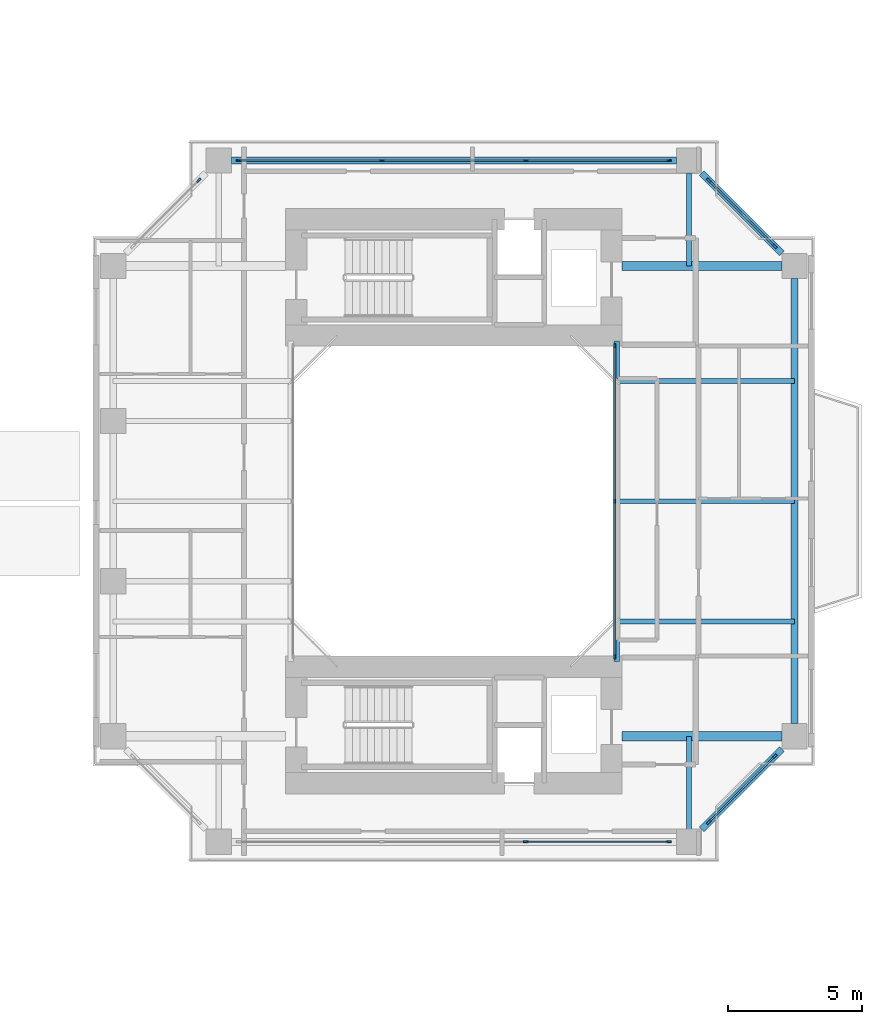
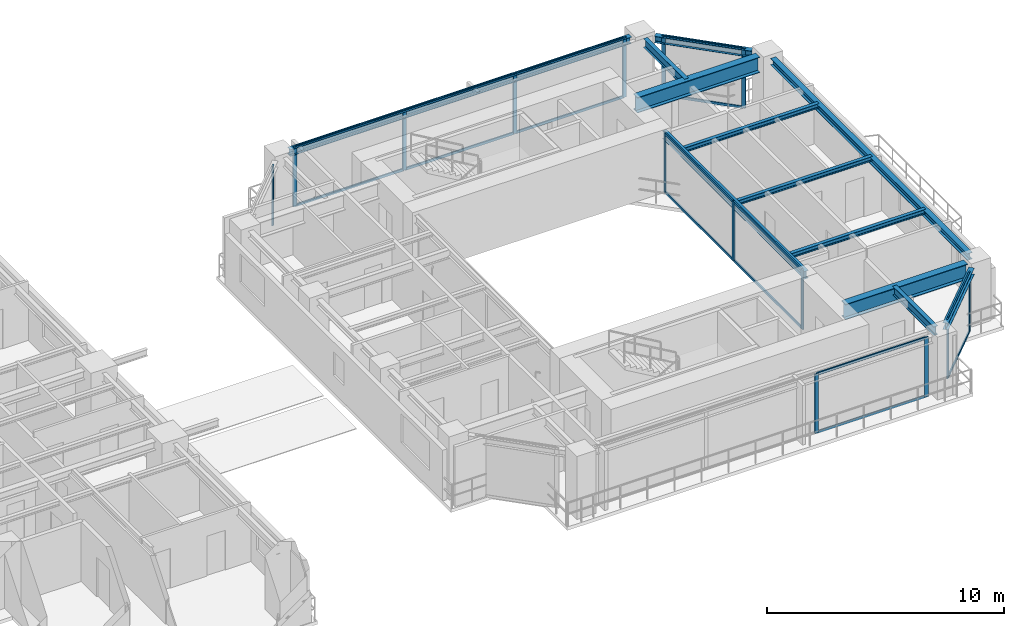
# One storey, part 9 of 23: 30 members, 12 beams, 6 elements without a shape of their own.
"""IFC4 building model written with IfcOpenShell, lengths in metres."""

from ifc_helpers import new_model, si_unit, direction, frame, origin, origin_2d, place, context, subcontext, project, spatial, rectangle, i_section, extrude, source, transform, mapped, material, layer, layer_set, material_profile, profile_set, type_object, element, aggregate, save


model = new_model("IFC4")

# Units and contexts
model_context = context("Model", 3, precision=1e-05, world=origin(), true_north=direction((0.0, 1.0)))
body_context = subcontext(model_context, "Body", "Model", "MODEL_VIEW")
ifc_project = project(units=[si_unit("LENGTHUNIT", "METRE"), si_unit("AREAUNIT", "SQUARE_METRE"), si_unit("VOLUMEUNIT", "CUBIC_METRE"), si_unit("PLANEANGLEUNIT", "RADIAN"), si_unit("MASSUNIT", "GRAM", prefix="KILO"), si_unit("THERMODYNAMICTEMPERATUREUNIT", "KELVIN"), si_unit("POWERUNIT", "WATT")], contexts=[model_context])

# Site, building, storey
site_placement = place(None, origin())
site = spatial("IfcSite", under=ifc_project, at=site_placement, CompositionType="ELEMENT")
building_placement = place(site_placement, origin())
building = spatial("IfcBuilding", under=site, at=building_placement, Name="Qiaomeng Ring Towers", CompositionType="ELEMENT")
storey_placement = place(building_placement, frame((0.0, 0.0, 50.25)))
storey = spatial("IfcBuildingStorey", under=building, at=storey_placement, Name="L13", CompositionType="ELEMENT", Elevation=50.25)

# Beams
ifc_material_1 = material(Name="Steel Q355B", Category="steel")
ifc_material_profile_1 = material_profile(ifc_material_1, i_section(OverallWidth=0.25, OverallDepth=0.340087890625, WebThickness=0.009033203125, FlangeThickness=0.013916015625, FilletRadius=0.02001953125, at=origin_2d()), Name="HM 340x250x9x14")
ifc_profile_set_1 = profile_set([ifc_material_profile_1], Name="Steel Q355B")
beam_type_1 = type_object("IfcBeamType", Name="STR-BM-HM340", PredefinedType="SPANDREL", material=ifc_profile_set_1)
shared_shape_1 = source(origin(), body_context, "Body", "SweptSolid", [
    extrude(i_section(OverallWidth=0.25, OverallDepth=0.340087890625, WebThickness=0.009033203125, FlangeThickness=0.013916015625, FilletRadius=0.02001953125, at=origin_2d()), origin(), (0.0, 0.0, 1.0), 16.65185546875),
])
for number, where, z_axis, x_axis, name in (
    (1, (73.25, 14.674072265625, 2.89990234375), (0.0, 1.0, 0.0), (-1.0, 0.0, 0.0), "L13 beam STR-SP-L13-T2-E1-E2"),
    (2, (68.825927734375, 35.75, 2.89990234375), (-1.0, 0.0, 0.0), (0.0, -1.0, 0.0), "L13 beam STR-SP-L13-T2-N2-N1"),
):
    element("IfcBeam", number, at=place(storey_placement, frame(where, z_axis=z_axis, x_axis=x_axis)), inside=storey, type_object=beam_type_1, Name=name, PredefinedType="SPANDREL", context=body_context, shape_type="MappedRepresentation", body=[
        mapped(shared_shape_1, transform((0.0, 0.0, 0.0), x_axis=(1.0, 0.0, 0.0), y_axis=(0.0, 1.0, 0.0), z_axis=(0.0, 0.0, 1.0), scale=1.0)),
    ])
shared_shape_2 = source(origin(), body_context, "Body", "SweptSolid", [
    extrude(i_section(OverallWidth=0.25, OverallDepth=0.340087890625, WebThickness=0.009033203125, FlangeThickness=0.013916015625, FilletRadius=0.02001953125, at=origin_2d()), origin(), (0.0, 0.0, 1.0), 4.244384765625),
])
for number, where, z_axis, x_axis, name in (
    (3, (69.7744140625, 10.724365234375, 2.89990234375), (0.707106781187, 0.707106781187, 0.0), (-0.707106781187, 0.707106781187, 0.0), "L13 beam STR-SP-L13-T2-S2-E1"),
    (4, (72.775634765625, 32.2744140625, 2.89990234375), (-0.707106781187, 0.707106781187, 0.0), (-0.707106781187, -0.707106781187, 0.0), "L13 beam STR-SP-L13-T2-E2-N2"),
):
    element("IfcBeam", number, at=place(storey_placement, frame(where, z_axis=z_axis, x_axis=x_axis)), inside=storey, type_object=beam_type_1, Name=name, PredefinedType="SPANDREL", context=body_context, shape_type="MappedRepresentation", body=[
        mapped(shared_shape_2, transform((0.0, 0.0, 0.0), x_axis=(1.0, 0.0, 0.0), y_axis=(0.0, 1.0, 0.0), z_axis=(0.0, 0.0, 1.0), scale=1.0)),
    ])
ifc_material_profile_2 = material_profile(ifc_material_1, i_section(OverallWidth=0.199951171875, OverallDepth=0.39990234375, WebThickness=0.008056640625, FlangeThickness=0.012939453125, FilletRadius=0.01611328125, at=origin_2d()), Name="HN 400x200x8x13")
ifc_profile_set_2 = profile_set([ifc_material_profile_2], Name="Steel Q355B")
beam_type_2 = type_object("IfcBeamType", Name="STR-BM-HN400", PredefinedType="SPANDREL", material=ifc_profile_set_2)
shared_shape_3 = source(origin(), body_context, "Body", "SweptSolid", [
    extrude(i_section(OverallWidth=0.199951171875, OverallDepth=0.39990234375, WebThickness=0.008056640625, FlangeThickness=0.012939453125, FilletRadius=0.01611328125, at=origin_2d()), origin(), (0.0, 0.0, 1.0), 12.0),
])
beam_placement = place(storey_placement, frame((66.60009765625, 17.0, 2.8701171875), z_axis=(0.0, 1.0, 0.0), x_axis=(-1.0, 0.0, 0.0)))
element("IfcBeam", 5, at=beam_placement, inside=storey, type_object=beam_type_2, Name="L13 beam STR-BM-L13-T2-WELL-E", PredefinedType="SPANDREL", context=body_context, shape_type="MappedRepresentation", body=[
    mapped(shared_shape_3, transform((0.0, 0.0, 0.0), x_axis=(1.0, 0.0, 0.0), y_axis=(0.0, 1.0, 0.0), z_axis=(0.0, 0.0, 1.0), scale=1.0)),
])
ifc_material_2 = material(Name="Steel Q390GJC", Category="steel")
ifc_material_profile_3 = material_profile(ifc_material_2, i_section(OverallWidth=0.35009765625, OverallDepth=0.800048828125, WebThickness=0.01611328125, FlangeThickness=0.028076171875, at=origin_2d()), Name="WH 800x350x16x28")
ifc_profile_set_3 = profile_set([ifc_material_profile_3], Name="Steel Q390GJC")
beam_type_3 = type_object("IfcBeamType", Name="STR-BM-WH800", PredefinedType="BEAM", material=ifc_profile_set_3)
shared_shape_4 = source(origin(), body_context, "Body", "SweptSolid", [
    extrude(i_section(OverallWidth=0.35009765625, OverallDepth=0.800048828125, WebThickness=0.01611328125, FlangeThickness=0.028076171875, at=origin_2d()), origin(), (0.0, 0.0, 1.0), 5.975830078125),
])
for number, where, z_axis, x_axis, name in (
    (6, (66.800048828125, 14.199951171875, 2.669921875), (1.0, 0.0, 0.0), (0.0, 1.0, 0.0), "L13 beam STR-BM-L13-T2-RAD-E1"),
    (7, (66.800048828125, 31.800048828125, 2.669921875), (1.0, 0.0, 0.0), (0.0, 1.0, 0.0), "L13 beam STR-BM-L13-T2-RAD-E2"),
):
    element("IfcBeam", number, at=place(storey_placement, frame(where, z_axis=z_axis, x_axis=x_axis)), inside=storey, type_object=beam_type_3, Name=name, PredefinedType="BEAM", context=body_context, shape_type="MappedRepresentation", body=[
        mapped(shared_shape_4, transform((0.0, 0.0, 0.0), x_axis=(1.0, 0.0, 0.0), y_axis=(0.0, 1.0, 0.0), z_axis=(0.0, 0.0, 1.0), scale=1.0)),
    ])
ifc_material_profile_4 = material_profile(ifc_material_1, i_section(OverallWidth=0.199951171875, OverallDepth=0.449951171875, WebThickness=0.009033203125, FlangeThickness=0.013916015625, FilletRadius=0.01806640625, at=origin_2d()), Name="HN 450x200x9x14")
ifc_profile_set_4 = profile_set([ifc_material_profile_4], Name="Steel Q355B")
beam_type_4 = type_object("IfcBeamType", Name="STR-BM-HN450", PredefinedType="SPANDREL", material=ifc_profile_set_4)
shared_shape_5 = source(origin(), body_context, "Body", "SweptSolid", [
    extrude(i_section(OverallWidth=0.199951171875, OverallDepth=0.449951171875, WebThickness=0.009033203125, FlangeThickness=0.013916015625, FilletRadius=0.01806640625, at=origin_2d()), origin(), (0.0, 0.0, 1.0), 3.475830078125),
])
for number, where, z_axis, x_axis, name in (
    (8, (69.300048828125, 35.27587890625, 2.844970703125), (0.0, -1.0, 0.0), (1.0, 0.0, 0.0), "L13 beam STR-BM-L13-T2-RAD-N2"),
    (9, (69.300048828125, 10.72412109375, 2.844970703125), (0.0, 1.0, 0.0), (-1.0, 0.0, 0.0), "L13 beam STR-BM-L13-T2-RAD-S2"),
):
    element("IfcBeam", number, at=place(storey_placement, frame(where, z_axis=z_axis, x_axis=x_axis)), inside=storey, type_object=beam_type_4, Name=name, PredefinedType="SPANDREL", context=body_context, shape_type="MappedRepresentation", body=[
        mapped(shared_shape_5, transform((0.0, 0.0, 0.0), x_axis=(1.0, 0.0, 0.0), y_axis=(0.0, 1.0, 0.0), z_axis=(0.0, 0.0, 1.0), scale=1.0)),
    ])
ifc_material_profile_5 = material_profile(ifc_material_1, i_section(OverallWidth=0.175048828125, OverallDepth=0.243896484375, WebThickness=0.007080078125, FlangeThickness=0.010986328125, FilletRadius=0.01611328125, at=origin_2d()), Name="HM 244x175x7x11")
ifc_profile_set_5 = profile_set([ifc_material_profile_5], Name="Steel Q355B")
beam_type_5 = type_object("IfcBeamType", Name="STR-BM-HM244", PredefinedType="JOIST", material=ifc_profile_set_5)
shared_shape_6 = source(origin(), body_context, "Body", "SweptSolid", [
    extrude(i_section(OverallWidth=0.175048828125, OverallDepth=0.243896484375, WebThickness=0.007080078125, FlangeThickness=0.010986328125, FilletRadius=0.01611328125, at=origin_2d()), origin(), (0.0, 0.0, 1.0), 6.64990234375),
])
for number, where, z_axis, x_axis, name in (
    (10, (66.60009765625, 18.5, 2.947998046875), (1.0, 0.0, 0.0), (0.0, 1.0, 0.0), "L13 beam STR-JST-L13-T2E-1"),
    (11, (66.60009765625, 23.0, 2.947998046875), (1.0, 0.0, 0.0), (0.0, 1.0, 0.0), "L13 beam STR-JST-L13-T2E-2"),
    (12, (66.60009765625, 27.5, 2.947998046875), (1.0, 0.0, 0.0), (0.0, 1.0, 0.0), "L13 beam STR-JST-L13-T2E-3"),
):
    element("IfcBeam", number, at=place(storey_placement, frame(where, z_axis=z_axis, x_axis=x_axis)), inside=storey, type_object=beam_type_5, Name=name, PredefinedType="JOIST", context=body_context, shape_type="MappedRepresentation", body=[
        mapped(shared_shape_6, transform((0.0, 0.0, 0.0), x_axis=(1.0, 0.0, 0.0), y_axis=(0.0, 1.0, 0.0), z_axis=(0.0, 0.0, 1.0), scale=1.0)),
    ])

# Curtain wall, members
ifc_material_3 = material(Name="Fluorocarbon dark-grey aluminium", Category="aluminium")
ifc_layer_1 = layer(ifc_material_3, 0.139892578125, Name="Fluorocarbon dark-grey aluminium")
ifc_layer_set_1 = layer_set([ifc_layer_1], Name="Fluorocarbon dark-grey aluminium")
curtain_wall_type_1 = type_object("IfcCurtainWallType", Name="ARC-CW-4", PredefinedType="NOTDEFINED", material=ifc_layer_set_1)
curtain_wall_1_placement = place(storey_placement, origin())
curtain_wall_1 = element("IfcCurtainWall", 13, at=curtain_wall_1_placement, inside=storey, type_object=curtain_wall_type_1, Name="L13 Curtain Wall CW4", PredefinedType="NOTDEFINED")
ifc_material_profile_6 = material_profile(ifc_material_3, rectangle(XDim=0.06494140625, YDim=0.159912109375, at=origin_2d()), Name="ALU MULL 65x160")
ifc_profile_set_6 = profile_set([ifc_material_profile_6], Name="Fluorocarbon dark-grey aluminium")
member_type_1 = type_object("IfcMemberType", Name="ARC-CWM-140", PredefinedType="MULLION", material=ifc_profile_set_6)
shared_shape_7 = source(origin(), body_context, "Body", "SweptSolid", [
    extrude(rectangle(XDim=0.06494140625, YDim=0.159912109375, at=origin_2d()), origin(), (0.0, 0.0, 1.0), 3.070068359375),
])
member_1_placement = place(storey_placement, frame((66.52001953125, 17.1826171875, 0.0), z_axis=(0.0, 0.0, 1.0), x_axis=(-1.0, 0.0, 0.0)))
member_1 = element("IfcMember", 14, at=member_1_placement, type_object=member_type_1, Name="CW4 mullion 1", PredefinedType="MULLION", context=body_context, shape_type="MappedRepresentation", body=[
    mapped(shared_shape_7, transform((0.0, 0.0, 0.0), x_axis=(1.0, 0.0, 0.0), y_axis=(0.0, 1.0, 0.0), z_axis=(0.0, 0.0, 1.0), scale=1.0)),
])
member_2_placement = place(storey_placement, frame((66.52001953125, 23.0, 0.0), z_axis=(0.0, 0.0, 1.0), x_axis=(-1.0, 0.0, 0.0)))
member_2 = element("IfcMember", 15, at=member_2_placement, type_object=member_type_1, Name="CW4 mullion 2", PredefinedType="MULLION", context=body_context, shape_type="MappedRepresentation", body=[
    mapped(shared_shape_7, transform((0.0, 0.0, 0.0), x_axis=(1.0, 0.0, 0.0), y_axis=(0.0, 1.0, 0.0), z_axis=(0.0, 0.0, 1.0), scale=1.0)),
])
member_3_placement = place(storey_placement, frame((66.52001953125, 28.8173828125, 0.0), z_axis=(0.0, 0.0, 1.0), x_axis=(-1.0, 0.0, 0.0)))
member_3 = element("IfcMember", 16, at=member_3_placement, type_object=member_type_1, Name="CW4 mullion 3", PredefinedType="MULLION", context=body_context, shape_type="MappedRepresentation", body=[
    mapped(shared_shape_7, transform((0.0, 0.0, 0.0), x_axis=(1.0, 0.0, 0.0), y_axis=(0.0, 1.0, 0.0), z_axis=(0.0, 0.0, 1.0), scale=1.0)),
])
ifc_material_profile_7 = material_profile(ifc_material_3, rectangle(XDim=0.06494140625, YDim=0.1298828125, at=origin_2d()), Name="ALU TRAN 65x130")
ifc_profile_set_7 = profile_set([ifc_material_profile_7], Name="Fluorocarbon dark-grey aluminium")
member_type_2 = type_object("IfcMemberType", Name="ARC-CWT-120", PredefinedType="USERDEFINED", material=ifc_profile_set_7)
shared_shape_8 = source(origin(), body_context, "Body", "SweptSolid", [
    extrude(rectangle(XDim=0.06494140625, YDim=0.1298828125, at=origin_2d()), origin(), (0.0, 0.0, 1.0), 5.75244140625),
])
member_4_placement = place(storey_placement, frame((66.52001953125, 17.215087890625, 0.032470703125), z_axis=(0.0, 1.0, 0.0), x_axis=(-1.0, 0.0, 0.0)))
member_4 = element("IfcMember", 17, at=member_4_placement, type_object=member_type_2, Name="CW4 transom 1.1", ObjectType="TRANSOM", PredefinedType="USERDEFINED", context=body_context, shape_type="MappedRepresentation", body=[
    mapped(shared_shape_8, transform((0.0, 0.0, 0.0), x_axis=(1.0, 0.0, 0.0), y_axis=(0.0, 1.0, 0.0), z_axis=(0.0, 0.0, 1.0), scale=1.0)),
])
member_5_placement = place(storey_placement, frame((66.52001953125, 17.215087890625, 3.03759765625), z_axis=(0.0, 1.0, 0.0), x_axis=(-1.0, 0.0, 0.0)))
member_5 = element("IfcMember", 18, at=member_5_placement, type_object=member_type_2, Name="CW4 transom 1.2", ObjectType="TRANSOM", PredefinedType="USERDEFINED", context=body_context, shape_type="MappedRepresentation", body=[
    mapped(shared_shape_8, transform((0.0, 0.0, 0.0), x_axis=(1.0, 0.0, 0.0), y_axis=(0.0, 1.0, 0.0), z_axis=(0.0, 0.0, 1.0), scale=1.0)),
])
member_6_placement = place(storey_placement, frame((66.52001953125, 23.032470703125, 0.032470703125), z_axis=(0.0, 1.0, 0.0), x_axis=(-1.0, 0.0, 0.0)))
member_6 = element("IfcMember", 19, at=member_6_placement, type_object=member_type_2, Name="CW4 transom 2.1", ObjectType="TRANSOM", PredefinedType="USERDEFINED", context=body_context, shape_type="MappedRepresentation", body=[
    mapped(shared_shape_8, transform((0.0, 0.0, 0.0), x_axis=(1.0, 0.0, 0.0), y_axis=(0.0, 1.0, 0.0), z_axis=(0.0, 0.0, 1.0), scale=1.0)),
])
member_7_placement = place(storey_placement, frame((66.52001953125, 23.032470703125, 3.03759765625), z_axis=(0.0, 1.0, 0.0), x_axis=(-1.0, 0.0, 0.0)))
member_7 = element("IfcMember", 20, at=member_7_placement, type_object=member_type_2, Name="CW4 transom 2.2", ObjectType="TRANSOM", PredefinedType="USERDEFINED", context=body_context, shape_type="MappedRepresentation", body=[
    mapped(shared_shape_8, transform((0.0, 0.0, 0.0), x_axis=(1.0, 0.0, 0.0), y_axis=(0.0, 1.0, 0.0), z_axis=(0.0, 0.0, 1.0), scale=1.0)),
])
aggregate(curtain_wall_1, [member_1, member_2, member_3, member_4, member_5, member_6, member_7])

ifc_layer_2 = layer(ifc_material_3, 0.14990234375, Name="Fluorocarbon dark-grey aluminium")
ifc_layer_set_2 = layer_set([ifc_layer_2], Name="Fluorocarbon dark-grey aluminium")
curtain_wall_type_2 = type_object("IfcCurtainWallType", Name="ARC-CW-5", PredefinedType="NOTDEFINED", material=ifc_layer_set_2)
curtain_wall_2_placement = place(storey_placement, origin())
curtain_wall_2 = element("IfcCurtainWall", 21, at=curtain_wall_2_placement, inside=storey, type_object=curtain_wall_type_2, Name="L13 Curtain Wall CW5", PredefinedType="NOTDEFINED")
ifc_material_profile_8 = material_profile(ifc_material_3, rectangle(XDim=0.070068359375, YDim=0.179931640625, at=origin_2d()), Name="ALU MULL 70x180")
ifc_profile_set_8 = profile_set([ifc_material_profile_8], Name="Fluorocarbon dark-grey aluminium")
member_type_3 = type_object("IfcMemberType", Name="ARC-CWM-160", PredefinedType="MULLION", material=ifc_profile_set_8)
shared_shape_9 = source(origin(), body_context, "Body", "SweptSolid", [
    extrude(rectangle(XDim=0.070068359375, YDim=0.179931640625, at=origin_2d()), origin(), (0.0, 0.0, 1.0), 3.070068359375),
])
member_8_placement = place(storey_placement, frame((52.449951171875, 35.75, 0.0), z_axis=(0.0, 0.0, 1.0), x_axis=(0.0, 1.0, 0.0)))
member_8 = element("IfcMember", 22, at=member_8_placement, type_object=member_type_3, Name="CW5 mullion 1", PredefinedType="MULLION", context=body_context, shape_type="MappedRepresentation", body=[
    mapped(shared_shape_9, transform((0.0, 0.0, 0.0), x_axis=(1.0, 0.0, 0.0), y_axis=(0.0, 1.0, 0.0), z_axis=(0.0, 0.0, 1.0), scale=1.0)),
])
member_9_placement = place(storey_placement, frame((57.804931640625, 35.75, 0.0), z_axis=(0.0, 0.0, 1.0), x_axis=(0.0, 1.0, 0.0)))
member_9 = element("IfcMember", 23, at=member_9_placement, type_object=member_type_3, Name="CW5 mullion 2", PredefinedType="MULLION", context=body_context, shape_type="MappedRepresentation", body=[
    mapped(shared_shape_9, transform((0.0, 0.0, 0.0), x_axis=(1.0, 0.0, 0.0), y_axis=(0.0, 1.0, 0.0), z_axis=(0.0, 0.0, 1.0), scale=1.0)),
])
member_10_placement = place(storey_placement, frame((63.195068359375, 35.75, 0.0), z_axis=(0.0, 0.0, 1.0), x_axis=(0.0, 1.0, 0.0)))
member_10 = element("IfcMember", 24, at=member_10_placement, type_object=member_type_3, Name="CW5 mullion 3", PredefinedType="MULLION", context=body_context, shape_type="MappedRepresentation", body=[
    mapped(shared_shape_9, transform((0.0, 0.0, 0.0), x_axis=(1.0, 0.0, 0.0), y_axis=(0.0, 1.0, 0.0), z_axis=(0.0, 0.0, 1.0), scale=1.0)),
])
member_11_placement = place(storey_placement, frame((68.550048828125, 35.75, 0.0), z_axis=(0.0, 0.0, 1.0), x_axis=(0.0, 1.0, 0.0)))
member_11 = element("IfcMember", 25, at=member_11_placement, type_object=member_type_3, Name="CW5 mullion 4", PredefinedType="MULLION", context=body_context, shape_type="MappedRepresentation", body=[
    mapped(shared_shape_9, transform((0.0, 0.0, 0.0), x_axis=(1.0, 0.0, 0.0), y_axis=(0.0, 1.0, 0.0), z_axis=(0.0, 0.0, 1.0), scale=1.0)),
])

curtain_wall_3_placement = place(storey_placement, origin())
curtain_wall_3 = element("IfcCurtainWall", 26, at=curtain_wall_3_placement, inside=storey, type_object=curtain_wall_type_2, Name="L13 Curtain Wall CW5", PredefinedType="NOTDEFINED")
member_12_placement = place(storey_placement, frame((70.039794921875, 10.98974609375, 0.0), z_axis=(0.0, 0.0, 1.0), x_axis=(-0.707106781187, 0.707106781187, 0.0)))
member_12 = element("IfcMember", 27, at=member_12_placement, type_object=member_type_3, Name="CW5 mullion 1", PredefinedType="MULLION", context=body_context, shape_type="MappedRepresentation", body=[
    mapped(shared_shape_9, transform((0.0, 0.0, 0.0), x_axis=(1.0, 0.0, 0.0), y_axis=(0.0, 1.0, 0.0), z_axis=(0.0, 0.0, 1.0), scale=1.0)),
])
member_13_placement = place(storey_placement, frame((72.51025390625, 13.460205078125, 0.0), z_axis=(0.0, 0.0, 1.0), x_axis=(-0.707106781187, 0.707106781187, 0.0)))
member_13 = element("IfcMember", 28, at=member_13_placement, type_object=member_type_3, Name="CW5 mullion 2", PredefinedType="MULLION", context=body_context, shape_type="MappedRepresentation", body=[
    mapped(shared_shape_9, transform((0.0, 0.0, 0.0), x_axis=(1.0, 0.0, 0.0), y_axis=(0.0, 1.0, 0.0), z_axis=(0.0, 0.0, 1.0), scale=1.0)),
])

curtain_wall_4_placement = place(storey_placement, origin())
curtain_wall_4 = element("IfcCurtainWall", 29, at=curtain_wall_4_placement, inside=storey, type_object=curtain_wall_type_2, Name="L13 Curtain Wall CW5", PredefinedType="NOTDEFINED")
member_14_placement = place(storey_placement, frame((72.51025390625, 32.539794921875, 0.0), z_axis=(0.0, 0.0, 1.0), x_axis=(-0.707106781187, -0.707106781187, 0.0)))
member_14 = element("IfcMember", 30, at=member_14_placement, type_object=member_type_3, Name="CW5 mullion 1", PredefinedType="MULLION", context=body_context, shape_type="MappedRepresentation", body=[
    mapped(shared_shape_9, transform((0.0, 0.0, 0.0), x_axis=(1.0, 0.0, 0.0), y_axis=(0.0, 1.0, 0.0), z_axis=(0.0, 0.0, 1.0), scale=1.0)),
])
member_15_placement = place(storey_placement, frame((70.039794921875, 35.01025390625, 0.0), z_axis=(0.0, 0.0, 1.0), x_axis=(-0.707106781187, -0.707106781187, 0.0)))
member_15 = element("IfcMember", 31, at=member_15_placement, type_object=member_type_3, Name="CW5 mullion 2", PredefinedType="MULLION", context=body_context, shape_type="MappedRepresentation", body=[
    mapped(shared_shape_9, transform((0.0, 0.0, 0.0), x_axis=(1.0, 0.0, 0.0), y_axis=(0.0, 1.0, 0.0), z_axis=(0.0, 0.0, 1.0), scale=1.0)),
])

# Curtain wall, member
curtain_wall_5_placement = place(storey_placement, origin())
curtain_wall_5 = element("IfcCurtainWall", 32, at=curtain_wall_5_placement, inside=storey, type_object=curtain_wall_type_2, Name="L13 Curtain Wall CW5", PredefinedType="NOTDEFINED")
member_16_placement = place(storey_placement, frame((50.960205078125, 35.01025390625, 0.0), z_axis=(0.0, 0.0, 1.0), x_axis=(0.707106781187, -0.707106781187, 0.0)))
member_16 = element("IfcMember", 33, at=member_16_placement, type_object=member_type_3, Name="CW5 mullion 1", PredefinedType="MULLION", context=body_context, shape_type="MappedRepresentation", body=[
    mapped(shared_shape_9, transform((0.0, 0.0, 0.0), x_axis=(1.0, 0.0, 0.0), y_axis=(0.0, 1.0, 0.0), z_axis=(0.0, 0.0, 1.0), scale=1.0)),
])
aggregate(curtain_wall_5, [member_16])

# Curtain wall, members
curtain_wall_6_placement = place(storey_placement, origin())
curtain_wall_6 = element("IfcCurtainWall", 34, at=curtain_wall_6_placement, inside=storey, type_object=curtain_wall_type_2, Name="L13 Curtain Wall CW5", PredefinedType="NOTDEFINED")
member_17_placement = place(storey_placement, frame((63.195068359375, 10.25, 0.0), z_axis=(0.0, 0.0, 1.0), x_axis=(0.0, 1.0, 0.0)))
member_17 = element("IfcMember", 35, at=member_17_placement, type_object=member_type_3, Name="CW5 mullion 3", PredefinedType="MULLION", context=body_context, shape_type="MappedRepresentation", body=[
    mapped(shared_shape_9, transform((0.0, 0.0, 0.0), x_axis=(1.0, 0.0, 0.0), y_axis=(0.0, 1.0, 0.0), z_axis=(0.0, 0.0, 1.0), scale=1.0)),
])
member_18_placement = place(storey_placement, frame((68.550048828125, 10.25, 0.0), z_axis=(0.0, 0.0, 1.0), x_axis=(0.0, 1.0, 0.0)))
member_18 = element("IfcMember", 36, at=member_18_placement, type_object=member_type_3, Name="CW5 mullion 4", PredefinedType="MULLION", context=body_context, shape_type="MappedRepresentation", body=[
    mapped(shared_shape_9, transform((0.0, 0.0, 0.0), x_axis=(1.0, 0.0, 0.0), y_axis=(0.0, 1.0, 0.0), z_axis=(0.0, 0.0, 1.0), scale=1.0)),
])

# Member
shared_shape_10 = source(origin(), body_context, "Body", "SweptSolid", [
    extrude(rectangle(XDim=0.06494140625, YDim=0.1298828125, at=origin_2d()), origin(), (0.0, 0.0, 1.0), 5.284912109375),
])
member_19_placement = place(storey_placement, frame((52.485107421875, 35.75, 0.032470703125), z_axis=(1.0, 0.0, 0.0), x_axis=(0.0, 1.0, 0.0)))
member_19 = element("IfcMember", 37, at=member_19_placement, type_object=member_type_2, Name="CW5 transom 1.1", ObjectType="TRANSOM", PredefinedType="USERDEFINED", context=body_context, shape_type="MappedRepresentation", body=[
    mapped(shared_shape_10, transform((0.0, 0.0, 0.0), x_axis=(1.0, 0.0, 0.0), y_axis=(0.0, 1.0, 0.0), z_axis=(0.0, 0.0, 1.0), scale=1.0)),
])

member_20_placement = place(storey_placement, frame((52.485107421875, 35.75, 3.03759765625), z_axis=(1.0, 0.0, 0.0), x_axis=(0.0, 1.0, 0.0)))
member_20 = element("IfcMember", 38, at=member_20_placement, type_object=member_type_2, Name="CW5 transom 1.2", ObjectType="TRANSOM", PredefinedType="USERDEFINED", context=body_context, shape_type="MappedRepresentation", body=[
    mapped(shared_shape_10, transform((0.0, 0.0, 0.0), x_axis=(1.0, 0.0, 0.0), y_axis=(0.0, 1.0, 0.0), z_axis=(0.0, 0.0, 1.0), scale=1.0)),
])

member_21_placement = place(storey_placement, frame((63.22998046875, 35.75, 0.032470703125), z_axis=(1.0, 0.0, 0.0), x_axis=(0.0, 1.0, 0.0)))
member_21 = element("IfcMember", 39, at=member_21_placement, type_object=member_type_2, Name="CW5 transom 3.1", ObjectType="TRANSOM", PredefinedType="USERDEFINED", context=body_context, shape_type="MappedRepresentation", body=[
    mapped(shared_shape_10, transform((0.0, 0.0, 0.0), x_axis=(1.0, 0.0, 0.0), y_axis=(0.0, 1.0, 0.0), z_axis=(0.0, 0.0, 1.0), scale=1.0)),
])

member_22_placement = place(storey_placement, frame((63.22998046875, 35.75, 3.03759765625), z_axis=(1.0, 0.0, 0.0), x_axis=(0.0, 1.0, 0.0)))
member_22 = element("IfcMember", 40, at=member_22_placement, type_object=member_type_2, Name="CW5 transom 3.2", ObjectType="TRANSOM", PredefinedType="USERDEFINED", context=body_context, shape_type="MappedRepresentation", body=[
    mapped(shared_shape_10, transform((0.0, 0.0, 0.0), x_axis=(1.0, 0.0, 0.0), y_axis=(0.0, 1.0, 0.0), z_axis=(0.0, 0.0, 1.0), scale=1.0)),
])

member_23_placement = place(storey_placement, frame((63.22998046875, 10.25, 0.032470703125), z_axis=(1.0, 0.0, 0.0), x_axis=(0.0, 1.0, 0.0)))
member_23 = element("IfcMember", 41, at=member_23_placement, type_object=member_type_2, Name="CW5 transom 3.1", ObjectType="TRANSOM", PredefinedType="USERDEFINED", context=body_context, shape_type="MappedRepresentation", body=[
    mapped(shared_shape_10, transform((0.0, 0.0, 0.0), x_axis=(1.0, 0.0, 0.0), y_axis=(0.0, 1.0, 0.0), z_axis=(0.0, 0.0, 1.0), scale=1.0)),
])

member_24_placement = place(storey_placement, frame((63.22998046875, 10.25, 3.03759765625), z_axis=(1.0, 0.0, 0.0), x_axis=(0.0, 1.0, 0.0)))
member_24 = element("IfcMember", 42, at=member_24_placement, type_object=member_type_2, Name="CW5 transom 3.2", ObjectType="TRANSOM", PredefinedType="USERDEFINED", context=body_context, shape_type="MappedRepresentation", body=[
    mapped(shared_shape_10, transform((0.0, 0.0, 0.0), x_axis=(1.0, 0.0, 0.0), y_axis=(0.0, 1.0, 0.0), z_axis=(0.0, 0.0, 1.0), scale=1.0)),
])

aggregate(curtain_wall_6, [member_17, member_18, member_23, member_24])

shared_shape_11 = source(origin(), body_context, "Body", "SweptSolid", [
    extrude(rectangle(XDim=0.06494140625, YDim=0.1298828125, at=origin_2d()), origin(), (0.0, 0.0, 1.0), 5.31982421875),
])
member_25_placement = place(storey_placement, frame((57.840087890625, 35.75, 0.032470703125), z_axis=(1.0, 0.0, 0.0), x_axis=(0.0, 1.0, 0.0)))
member_25 = element("IfcMember", 43, at=member_25_placement, type_object=member_type_2, Name="CW5 transom 2.1", ObjectType="TRANSOM", PredefinedType="USERDEFINED", context=body_context, shape_type="MappedRepresentation", body=[
    mapped(shared_shape_11, transform((0.0, 0.0, 0.0), x_axis=(1.0, 0.0, 0.0), y_axis=(0.0, 1.0, 0.0), z_axis=(0.0, 0.0, 1.0), scale=1.0)),
])

member_26_placement = place(storey_placement, frame((57.840087890625, 35.75, 3.03759765625), z_axis=(1.0, 0.0, 0.0), x_axis=(0.0, 1.0, 0.0)))
member_26 = element("IfcMember", 44, at=member_26_placement, type_object=member_type_2, Name="CW5 transom 2.2", ObjectType="TRANSOM", PredefinedType="USERDEFINED", context=body_context, shape_type="MappedRepresentation", body=[
    mapped(shared_shape_11, transform((0.0, 0.0, 0.0), x_axis=(1.0, 0.0, 0.0), y_axis=(0.0, 1.0, 0.0), z_axis=(0.0, 0.0, 1.0), scale=1.0)),
])

aggregate(curtain_wall_2, [member_8, member_9, member_10, member_11, member_19, member_20, member_25, member_26, member_21, member_22])

shared_shape_12 = source(origin(), body_context, "Body", "SweptSolid", [
    extrude(rectangle(XDim=0.06494140625, YDim=0.1298828125, at=origin_2d()), origin(), (0.0, 0.0, 1.0), 3.424072265625),
])
member_27_placement = place(storey_placement, frame((70.064453125, 11.014404296875, 0.032470703125), z_axis=(0.707106781187, 0.707106781187, 0.0), x_axis=(-0.707106781187, 0.707106781187, 0.0)))
member_27 = element("IfcMember", 45, at=member_27_placement, type_object=member_type_2, Name="CW5 transom 1.1", ObjectType="TRANSOM", PredefinedType="USERDEFINED", context=body_context, shape_type="MappedRepresentation", body=[
    mapped(shared_shape_12, transform((0.0, 0.0, 0.0), x_axis=(1.0, 0.0, 0.0), y_axis=(0.0, 1.0, 0.0), z_axis=(0.0, 0.0, 1.0), scale=1.0)),
])

member_28_placement = place(storey_placement, frame((70.064453125, 11.014404296875, 3.03759765625), z_axis=(0.707106781187, 0.707106781187, 0.0), x_axis=(-0.707106781187, 0.707106781187, 0.0)))
member_28 = element("IfcMember", 46, at=member_28_placement, type_object=member_type_2, Name="CW5 transom 1.2", ObjectType="TRANSOM", PredefinedType="USERDEFINED", context=body_context, shape_type="MappedRepresentation", body=[
    mapped(shared_shape_12, transform((0.0, 0.0, 0.0), x_axis=(1.0, 0.0, 0.0), y_axis=(0.0, 1.0, 0.0), z_axis=(0.0, 0.0, 1.0), scale=1.0)),
])

aggregate(curtain_wall_3, [member_12, member_13, member_27, member_28])

member_29_placement = place(storey_placement, frame((72.485595703125, 32.564453125, 0.032470703125), z_axis=(-0.707106781187, 0.707106781187, 0.0), x_axis=(-0.707106781187, -0.707106781187, 0.0)))
member_29 = element("IfcMember", 47, at=member_29_placement, type_object=member_type_2, Name="CW5 transom 1.1", ObjectType="TRANSOM", PredefinedType="USERDEFINED", context=body_context, shape_type="MappedRepresentation", body=[
    mapped(shared_shape_12, transform((0.0, 0.0, 0.0), x_axis=(1.0, 0.0, 0.0), y_axis=(0.0, 1.0, 0.0), z_axis=(0.0, 0.0, 1.0), scale=1.0)),
])

member_30_placement = place(storey_placement, frame((72.485595703125, 32.564453125, 3.03759765625), z_axis=(-0.707106781187, 0.707106781187, 0.0), x_axis=(-0.707106781187, -0.707106781187, 0.0)))
member_30 = element("IfcMember", 48, at=member_30_placement, type_object=member_type_2, Name="CW5 transom 1.2", ObjectType="TRANSOM", PredefinedType="USERDEFINED", context=body_context, shape_type="MappedRepresentation", body=[
    mapped(shared_shape_12, transform((0.0, 0.0, 0.0), x_axis=(1.0, 0.0, 0.0), y_axis=(0.0, 1.0, 0.0), z_axis=(0.0, 0.0, 1.0), scale=1.0)),
])

aggregate(curtain_wall_4, [member_14, member_15, member_29, member_30])

save(model, "model.ifc")
